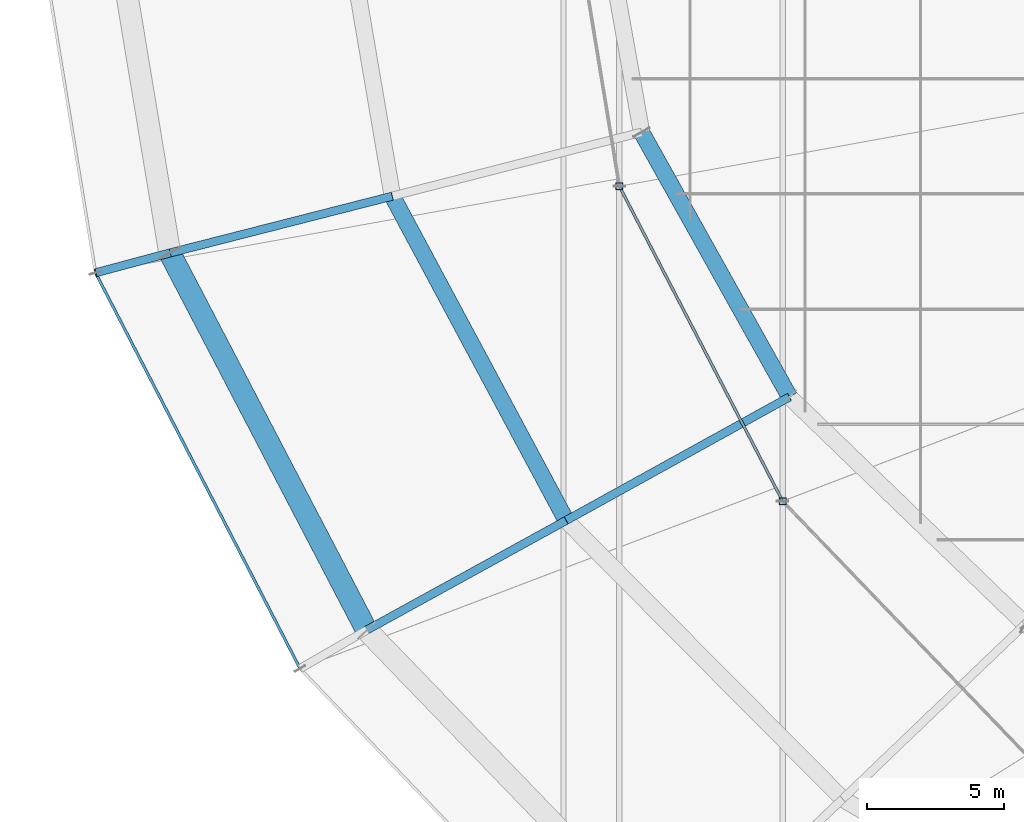
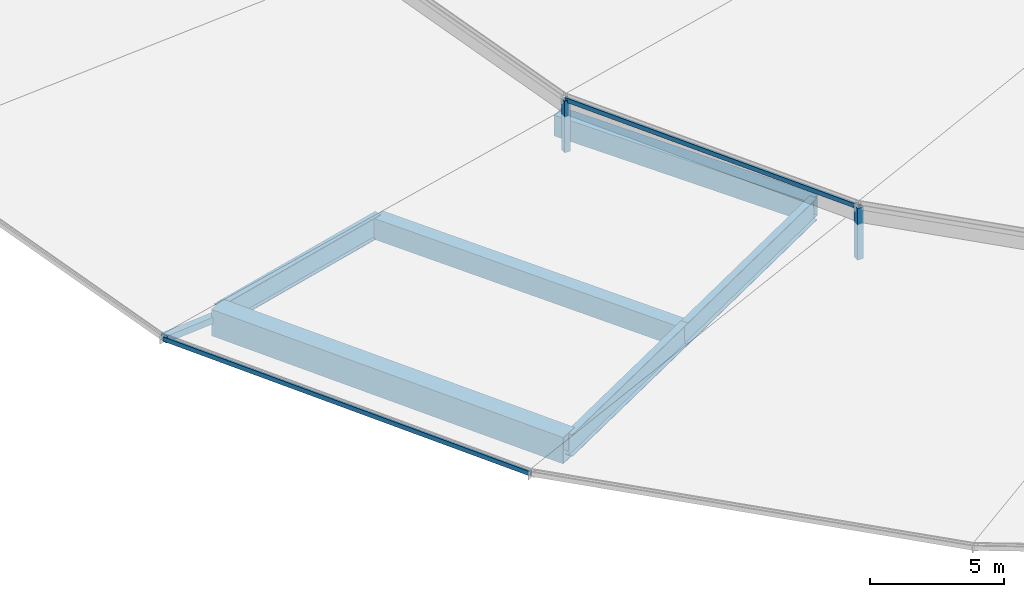
# One storey, part 5 of 184: 6 beams, 5 members.
"""IFC4 building model written with IfcOpenShell, lengths in metres."""

from ifc_helpers import new_model, si_unit, direction, frame, origin, origin_2d, place, context, subcontext, project, spatial, hollow_rectangle, i_section, extrude, material, material_profile, profile_set, type_object, element, save


model = new_model("IFC4")

# Units and contexts
model_context = context("Model", 3, precision=1e-05, world=origin(), true_north=direction((0.0, 1.0)))
body_context = subcontext(model_context, "Body", "Model", "MODEL_VIEW")
ifc_project = project(units=[si_unit("LENGTHUNIT", "METRE"), si_unit("AREAUNIT", "SQUARE_METRE"), si_unit("VOLUMEUNIT", "CUBIC_METRE"), si_unit("PLANEANGLEUNIT", "RADIAN"), si_unit("MASSUNIT", "GRAM", prefix="KILO")], contexts=[model_context])

# Site, building, storey
site_placement = place(None, origin())
site = spatial("IfcSite", under=ifc_project, at=site_placement, CompositionType="ELEMENT")
building_placement = place(site_placement, origin())
building = spatial("IfcBuilding", under=site, at=building_placement, Name="Kalgoora Escarpment Arena", CompositionType="ELEMENT")
storey_placement = place(building_placement, frame((0.0, 0.0, 27.60009765625)))
storey = spatial("IfcBuildingStorey", under=building, at=storey_placement, Name="Roof Level", CompositionType="ELEMENT", Elevation=27.60009765625)

# Beams
ifc_material_1 = material(Name="Structural steel Grade 350 (350 MPa)", Category="steel")
ifc_material_profile_1 = material_profile(ifc_material_1, hollow_rectangle(XDim=0.800048828125, YDim=1.199951171875, WallThickness=0.031982421875, at=origin_2d()))
ifc_profile_set_1 = profile_set([ifc_material_profile_1], Name="Structural steel Grade 350 (350 MPa)")
beam_type_1 = type_object("IfcBeamType", Name="BM-RING-BOX1200", PredefinedType="USERDEFINED", material=ifc_profile_set_1)
beam_1_placement = place(storey_placement, frame((23.04638671875, 49.247314453125, -1.4501953125), z_axis=(0.462595600895, -0.886569405085, 0.0), x_axis=(0.886569405085, 0.462595600895, 0.0)))
element("IfcBeam", 1, at=beam_1_placement, inside=storey, type_object=beam_type_1, Name="Outer perimeter compression RING BEAM chord 14", ObjectType="GIRDER", PredefinedType="USERDEFINED", context=body_context, shape_type="SweptSolid", body=[
    extrude(hollow_rectangle(XDim=0.800048828125, YDim=1.199951171875, WallThickness=0.031982421875, at=origin_2d()), origin(), (0.0, 0.0, 1.0), 15.506103515625),
])
ifc_material_2 = material(Name="Structural steel Grade 350 (350 MPa)", Category="steel")
ifc_material_profile_2 = material_profile(ifc_material_2, hollow_rectangle(XDim=0.60009765625, YDim=0.949951171875, WallThickness=0.02490234375, at=origin_2d()))
ifc_profile_set_2 = profile_set([ifc_material_profile_2], Name="Structural steel Grade 350 (350 MPa)")
beam_type_2 = type_object("IfcBeamType", Name="BM-RING-BOX950", PredefinedType="USERDEFINED", material=ifc_profile_set_2)
beam_2_placement = place(storey_placement, frame((31.160400390625, 51.31787109375, -1.35009765625), z_axis=(0.47236591953, -0.881402540311, 0.0), x_axis=(0.881402540311, 0.47236591953, 0.0)))
element("IfcBeam", 2, at=beam_2_placement, inside=storey, type_object=beam_type_2, Name="Concourse roof RING BEAM chord 14", ObjectType="GIRDER", PredefinedType="USERDEFINED", context=body_context, shape_type="SweptSolid", body=[
    extrude(hollow_rectangle(XDim=0.60009765625, YDim=0.949951171875, WallThickness=0.02490234375, at=origin_2d()), origin(), (0.0, 0.0, 1.0), 13.407958984375),
])
beam_3_placement = place(storey_placement, frame((40.239990234375, 53.647216796875, -1.25), z_axis=(0.488058469962, -0.872810935941, 0.0), x_axis=(0.872810935941, 0.488058469962, 0.0)))
element("IfcBeam", 3, at=beam_3_placement, inside=storey, type_object=beam_type_2, Name="Bowl compression RING BEAM chord 14", ObjectType="GIRDER", PredefinedType="USERDEFINED", context=body_context, shape_type="SweptSolid", body=[
    extrude(hollow_rectangle(XDim=0.60009765625, YDim=0.949951171875, WallThickness=0.02490234375, at=origin_2d()), origin(), (0.0, 0.0, 1.0), 11.052978515625),
])
ifc_material_3 = material(Name="Structural steel Grade 350 (350 MPa)", Category="steel")
ifc_material_profile_3 = material_profile(ifc_material_3, i_section(OverallWidth=0.300048828125, OverallDepth=1.010009765625, WebThickness=0.01611328125, FlangeThickness=0.030029296875, at=origin_2d()))
ifc_profile_set_3 = profile_set([ifc_material_profile_3], Name="Structural steel Grade 350 (350 MPa)")
beam_type_3 = type_object("IfcBeamType", Name="BM-TRUSS-CHORD", PredefinedType="USERDEFINED", material=ifc_profile_set_3)
beam_4_placement = place(storey_placement, frame((23.04638671875, 49.247314453125, -1.400146484375), z_axis=(0.968880156958, 0.24724154088, 0.011952485764), x_axis=(-0.247259203473, 0.968949372412, 0.0)))
element("IfcBeam", 4, at=beam_4_placement, inside=storey, type_object=beam_type_3, Name="Outer radial petal support girder R14", ObjectType="GIRDER", PredefinedType="USERDEFINED", context=body_context, shape_type="SweptSolid", body=[
    extrude(i_section(OverallWidth=0.300048828125, OverallDepth=1.010009765625, WebThickness=0.01611328125, FlangeThickness=0.030029296875, at=origin_2d()), origin(), (0.0, 0.0, 1.0), 8.37451171875),
])
beam_5_placement = place(storey_placement, frame((30.219482421875, 35.5, -1.400146484375), z_axis=(0.876199402957, 0.481797926502, 0.012056710807), x_axis=(-0.481832948424, 0.876263093947, 0.0)))
element("IfcBeam", 5, at=beam_5_placement, inside=storey, type_object=beam_type_3, Name="Outer radial petal support girder R15", ObjectType="GIRDER", PredefinedType="USERDEFINED", context=body_context, shape_type="SweptSolid", body=[
    extrude(i_section(OverallWidth=0.300048828125, OverallDepth=1.010009765625, WebThickness=0.01611328125, FlangeThickness=0.030029296875, at=origin_2d()), origin(), (0.0, 0.0, 1.0), 8.30224609375),
])
beam_6_placement = place(storey_placement, frame((37.493896484375, 39.5, -1.300048828125), z_axis=(0.875134962309, 0.483759825614, 0.010734470957), x_axis=(-0.483787699571, 0.875185387072, 0.0)))
element("IfcBeam", 6, at=beam_6_placement, inside=storey, type_object=beam_type_3, Name="Inner radial petal support girder R15", ObjectType="GIRDER", PredefinedType="USERDEFINED", context=body_context, shape_type="SweptSolid", body=[
    extrude(i_section(OverallWidth=0.300048828125, OverallDepth=1.010009765625, WebThickness=0.01611328125, FlangeThickness=0.030029296875, at=origin_2d()), origin(), (0.0, 0.0, 1.0), 9.30224609375),
])

# Members
ifc_material_4 = material(Name="Structural steel C450 (450 MPa)", Category="steel")
ifc_material_profile_4 = material_profile(ifc_material_4, hollow_rectangle(XDim=0.25, YDim=0.25, WallThickness=0.012451171875, at=origin_2d()))
ifc_profile_set_4 = profile_set([ifc_material_profile_4], Name="Structural steel C450 (450 MPa)")
member_type_1 = type_object("IfcMemberType", Name="MEM-PETAL-POST", PredefinedType="POST", material=ifc_profile_set_4)
for number, where, z_axis, x_axis, name in (
    (7, (39.430908203125, 51.68017578125, -1.080078125), (0.0, 0.0, 1.0), (1.0, 0.0, 0.0), "Petal RP2 vertical support post S14"),
    (8, (45.385009765625, 40.199951171875, -1.080078125), (0.0, 0.0, 1.0), (1.0, 0.0, 0.0), "Petal RP2 vertical support post S15"),
):
    element("IfcMember", number, at=place(storey_placement, frame(where, z_axis=z_axis, x_axis=x_axis)), inside=storey, type_object=member_type_1, Name=name, PredefinedType="POST", context=body_context, shape_type="SweptSolid", body=[
        extrude(hollow_rectangle(XDim=0.25, YDim=0.25, WallThickness=0.012451171875, at=origin_2d()), origin(), (0.0, 0.0, 1.0), 2.344970703125),
    ])
ifc_material_5 = material(Name="Structural steel C350 (350 MPa)", Category="steel")
ifc_material_profile_5 = material_profile(ifc_material_5, hollow_rectangle(XDim=0.10009765625, YDim=0.199951171875, WallThickness=0.009033203125, at=origin_2d()))
ifc_profile_set_5 = profile_set([ifc_material_profile_5], Name="Structural steel C350 (350 MPa)")
member_type_2 = type_object("IfcMemberType", Name="MEM-PURLIN-RHS", PredefinedType="PURLIN", material=ifc_profile_set_5)
member_1_placement = place(storey_placement, frame((20.341796875, 48.522705078125, -1.02001953125), z_axis=(0.459066541808, -0.888401885518, 0.0), x_axis=(0.888401885518, 0.459066541808, 0.0)))
element("IfcMember", 9, at=member_1_placement, inside=storey, type_object=member_type_2, Name="Petal RP1 eave support ring purlin S14", PredefinedType="PURLIN", context=body_context, shape_type="SweptSolid", body=[
    extrude(hollow_rectangle(XDim=0.10009765625, YDim=0.199951171875, WallThickness=0.009033203125, at=origin_2d()), origin(), (0.0, 0.0, 1.0), 16.234375),
])
member_2_placement = place(storey_placement, frame((39.430908203125, 51.68017578125, 1.244873046875), z_axis=(0.460402022501, -0.887710525834, 0.0), x_axis=(0.887710525834, 0.460402022501, 0.0)))
element("IfcMember", 10, at=member_2_placement, inside=storey, type_object=member_type_2, Name="Petal RP2 eave support ring purlin S14", PredefinedType="PURLIN", context=body_context, shape_type="SweptSolid", body=[
    extrude(hollow_rectangle(XDim=0.10009765625, YDim=0.199951171875, WallThickness=0.009033203125, at=origin_2d()), origin(), (0.0, 0.0, 1.0), 12.932373046875),
])
ifc_material_6 = material(Name="Structural steel C450 (450 MPa)", Category="steel")
ifc_material_profile_6 = material_profile(ifc_material_6, hollow_rectangle(XDim=0.300048828125, YDim=0.300048828125, WallThickness=0.012451171875, at=origin_2d()))
ifc_profile_set_6 = profile_set([ifc_material_profile_6], Name="Structural steel C450 (450 MPa)")
member_type_3 = type_object("IfcMemberType", Name="MEM-TRUSS-POST", PredefinedType="POST", material=ifc_profile_set_6)
member_3_placement = place(storey_placement, frame((23.04638671875, 49.247314453125, -1.400146484375), z_axis=(-0.956217974517, -0.256188386746, 0.141473303867), x_axis=(0.258791291131, -0.965933262516, 0.0)))
element("IfcMember", 11, at=member_3_placement, inside=storey, type_object=member_type_3, Name="Petal RP1 eave strut S14", PredefinedType="POST", context=body_context, shape_type="SweptSolid", body=[
    extrude(hollow_rectangle(XDim=0.300048828125, YDim=0.300048828125, WallThickness=0.012451171875, at=origin_2d()), origin(), (0.0, 0.0, 1.0), 2.828369140625),
])

save(model, "model.ifc")
